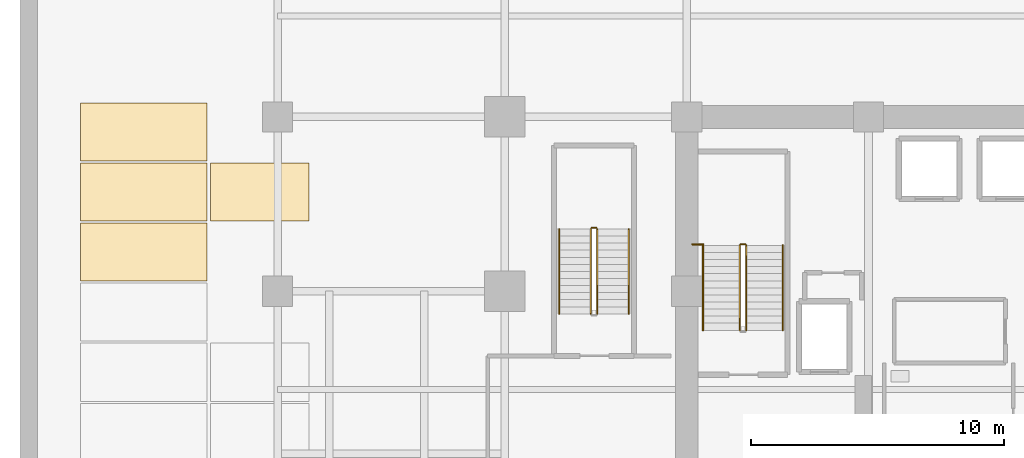
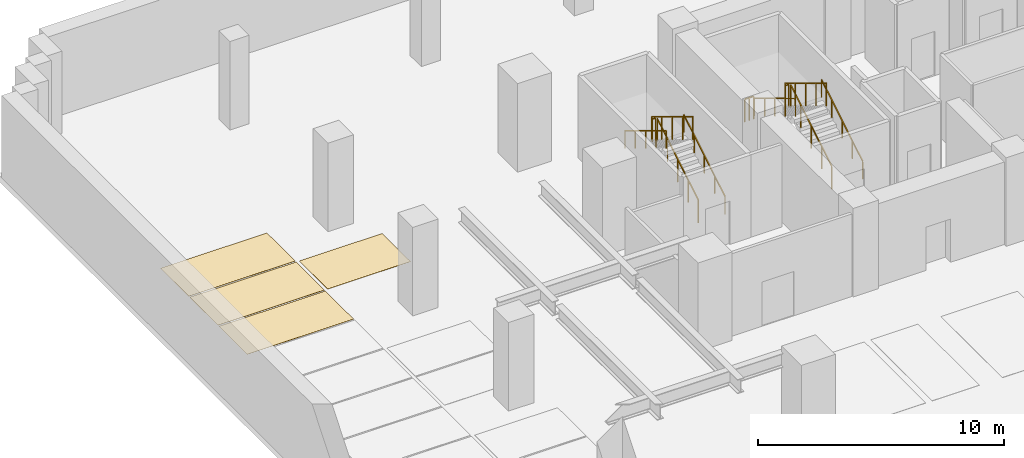
# One storey, part 11 of 14: 11 railings, 4 coverings.
"""IFC4 building model written with IfcOpenShell, lengths in metres."""

from ifc_helpers import new_model, si_unit, direction, frame, origin, origin_2d, place, context, subcontext, project, spatial, polyline, rectangle, outline, extrude, material, layer, layer_set, type_object, element, save


model = new_model("IFC4")

# Units and contexts
model_context = context("Model", 3, precision=1e-05, world=origin(), true_north=direction((0.0, 1.0)))
body_context = subcontext(model_context, "Body", "Model", "MODEL_VIEW")
ifc_project = project(units=[si_unit("LENGTHUNIT", "METRE"), si_unit("AREAUNIT", "SQUARE_METRE"), si_unit("VOLUMEUNIT", "CUBIC_METRE"), si_unit("PLANEANGLEUNIT", "RADIAN"), si_unit("MASSUNIT", "GRAM", prefix="KILO")], contexts=[model_context])

# Site, building, storey
site_placement = place(None, origin())
site = spatial("IfcSite", under=ifc_project, at=site_placement, CompositionType="ELEMENT")
building_placement = place(site_placement, origin())
building = spatial("IfcBuilding", under=site, at=building_placement, Name="Zarnakvel Exchange Tower", CompositionType="ELEMENT")
storey_placement = place(building_placement, frame((0.0, 0.0, -4.39990234375)))
storey = spatial("IfcBuildingStorey", under=building, at=storey_placement, Name="B01", CompositionType="ELEMENT", Elevation=-4.39990234375)

# Railings
ifc_material_1 = material(Name="Brushed Stainless Steel", Category="steel")
railing_type_1 = type_object("IfcRailingType", Name="HR-01", PredefinedType="HANDRAIL", material=ifc_material_1)
railing_1_placement = place(storey_placement, frame((-10.590087890625, 5.050048828125, 0.169189453125)))
element("IfcRailing", 1, at=railing_1_placement, inside=storey, type_object=railing_type_1, Name="B01 ST-01 stair handrail 1", PredefinedType="HANDRAIL", context=body_context, shape_type="SweptSolid", body=[
    extrude(rectangle(XDim=0.048095703125, YDim=0.048095703125, at=origin_2d()), frame((0.0, 0.0, 0.8759765625), z_axis=(0.0, 0.855820338506, 0.51727318527), x_axis=(-1.0, 0.0, 0.0)), (0.0, 0.0, 1.0), 3.92578125),
    extrude(rectangle(XDim=0.0419921875, YDim=0.0419921875, at=origin_2d()), origin(), (0.0, 0.0, 1.0), 0.851806640625),
    extrude(rectangle(XDim=0.0419921875, YDim=0.0419921875, at=origin_2d()), frame((0.0, 0.83984375, 0.5078125)), (0.0, 0.0, 1.0), 0.851806640625),
    extrude(rectangle(XDim=0.0419921875, YDim=0.0419921875, at=origin_2d()), frame((0.0, 1.679931640625, 1.015380859375)), (0.0, 0.0, 1.0), 0.851806640625),
    extrude(rectangle(XDim=0.0419921875, YDim=0.0419921875, at=origin_2d()), frame((0.0, 2.52001953125, 1.52294921875)), (0.0, 0.0, 1.0), 0.851806640625),
    extrude(rectangle(XDim=0.0419921875, YDim=0.0419921875, at=origin_2d()), frame((0.0, 3.35986328125, 2.03076171875)), (0.0, 0.0, 1.0), 0.851806640625),
])
railing_2_placement = place(storey_placement, frame((-13.75, 8.409912109375, 2.369140625)))
element("IfcRailing", 2, at=railing_2_placement, inside=storey, type_object=railing_type_1, Name="B01 ST-01 stair handrail 2", PredefinedType="HANDRAIL", context=body_context, shape_type="SweptSolid", body=[
    extrude(rectangle(XDim=0.048095703125, YDim=0.048095703125, at=origin_2d()), frame((0.0, 0.0, 0.8759765625), z_axis=(0.0, -0.855820338506, 0.51727318527), x_axis=(1.0, 0.0, 0.0)), (0.0, 0.0, 1.0), 3.92578125),
    extrude(rectangle(XDim=0.0419921875, YDim=0.0419921875, at=origin_2d()), origin(), (0.0, 0.0, 1.0), 0.851806640625),
    extrude(rectangle(XDim=0.0419921875, YDim=0.0419921875, at=origin_2d()), frame((0.0, -0.83984375, 0.5078125)), (0.0, 0.0, 1.0), 0.851806640625),
    extrude(rectangle(XDim=0.0419921875, YDim=0.0419921875, at=origin_2d()), frame((0.0, -1.679931640625, 1.015380859375)), (0.0, 0.0, 1.0), 0.851806640625),
    extrude(rectangle(XDim=0.0419921875, YDim=0.0419921875, at=origin_2d()), frame((0.0, -2.52001953125, 1.52294921875)), (0.0, 0.0, 1.0), 0.851806640625),
    extrude(rectangle(XDim=0.0419921875, YDim=0.0419921875, at=origin_2d()), frame((0.0, -3.35986328125, 2.03076171875)), (0.0, 0.0, 1.0), 0.851806640625),
])
railing_3_placement = place(storey_placement, frame((-16.68994140625, 5.699951171875, 0.169189453125)))
element("IfcRailing", 3, at=railing_3_placement, inside=storey, type_object=railing_type_1, Name="B01 ST-05 stair handrail 1", PredefinedType="HANDRAIL", context=body_context, shape_type="SweptSolid", body=[
    extrude(rectangle(XDim=0.048095703125, YDim=0.048095703125, at=origin_2d()), frame((0.0, 0.0, 0.8759765625), z_axis=(0.0, 0.855836976705, 0.517245656632), x_axis=(-1.0, 0.0, 0.0)), (0.0, 0.0, 1.0), 3.926025390625),
    extrude(rectangle(XDim=0.0419921875, YDim=0.0419921875, at=origin_2d()), origin(), (0.0, 0.0, 1.0), 0.851806640625),
    extrude(rectangle(XDim=0.0419921875, YDim=0.0419921875, at=origin_2d()), frame((0.0, 0.840087890625, 0.5078125)), (0.0, 0.0, 1.0), 0.851806640625),
    extrude(rectangle(XDim=0.0419921875, YDim=0.0419921875, at=origin_2d()), frame((0.0, 1.68017578125, 1.015380859375)), (0.0, 0.0, 1.0), 0.851806640625),
    extrude(rectangle(XDim=0.0419921875, YDim=0.0419921875, at=origin_2d()), frame((0.0, 2.52001953125, 1.52294921875)), (0.0, 0.0, 1.0), 0.851806640625),
    extrude(rectangle(XDim=0.0419921875, YDim=0.0419921875, at=origin_2d()), frame((0.0, 3.360107421875, 2.03076171875)), (0.0, 0.0, 1.0), 0.851806640625),
])
railing_4_placement = place(storey_placement, frame((-19.449951171875, 9.06005859375, 2.369140625)))
element("IfcRailing", 4, at=railing_4_placement, inside=storey, type_object=railing_type_1, Name="B01 ST-05 stair handrail 2", PredefinedType="HANDRAIL", context=body_context, shape_type="SweptSolid", body=[
    extrude(rectangle(XDim=0.048095703125, YDim=0.048095703125, at=origin_2d()), frame((0.0, 0.0, 0.8759765625), z_axis=(0.0, -0.855836976705, 0.517245656632), x_axis=(1.0, 0.0, 0.0)), (0.0, 0.0, 1.0), 3.926025390625),
    extrude(rectangle(XDim=0.0419921875, YDim=0.0419921875, at=origin_2d()), origin(), (0.0, 0.0, 1.0), 0.851806640625),
    extrude(rectangle(XDim=0.0419921875, YDim=0.0419921875, at=origin_2d()), frame((0.0, -0.840087890625, 0.5078125)), (0.0, 0.0, 1.0), 0.851806640625),
    extrude(rectangle(XDim=0.0419921875, YDim=0.0419921875, at=origin_2d()), frame((0.0, -1.68017578125, 1.015380859375)), (0.0, 0.0, 1.0), 0.851806640625),
    extrude(rectangle(XDim=0.0419921875, YDim=0.0419921875, at=origin_2d()), frame((0.0, -2.52001953125, 1.52294921875)), (0.0, 0.0, 1.0), 0.851806640625),
    extrude(rectangle(XDim=0.0419921875, YDim=0.0419921875, at=origin_2d()), frame((0.0, -3.360107421875, 2.03076171875)), (0.0, 0.0, 1.0), 0.851806640625),
])

# Coverings
ifc_material_2 = material(Name="Thermoplastic Acrylic Bay Marking", Category="finish")
ifc_layer = layer(ifc_material_2, 0.010009765625)
ifc_layer_set = layer_set([ifc_layer], Name="Thermoplastic Acrylic Bay Marking")
covering_type = type_object("IfcCoveringType", Name="MK-01", PredefinedType="FLOORING", material=ifc_layer_set)
covering_1_placement = place(storey_placement, origin())
element("IfcCovering", 5, at=covering_1_placement, inside=storey, type_object=covering_type, Name="B01 Standard Parking Bay Marking B01-35", PredefinedType="FLOORING", context=body_context, shape_type="SweptSolid", body=[
    extrude(outline(polyline([(-38.39990234375, 7.0), (-33.39990234375, 7.0), (-33.39990234375, 9.300048828125), (-38.39990234375, 9.300048828125), (-38.39990234375, 7.0)])), origin(), (0.0, 0.0, 1.0), 0.010009765625),
])
covering_2_placement = place(storey_placement, origin())
element("IfcCovering", 6, at=covering_2_placement, inside=storey, type_object=covering_type, Name="B01 Standard Parking Bay Marking B01-36", PredefinedType="FLOORING", context=body_context, shape_type="SweptSolid", body=[
    extrude(outline(polyline([(-38.39990234375, 9.3798828125), (-33.39990234375, 9.3798828125), (-33.39990234375, 11.679931640625), (-38.39990234375, 11.679931640625), (-38.39990234375, 9.3798828125)])), origin(), (0.0, 0.0, 1.0), 0.010009765625),
])
covering_3_placement = place(storey_placement, origin())
element("IfcCovering", 7, at=covering_3_placement, inside=storey, type_object=covering_type, Name="B01 Standard Parking Bay Marking B01-37", PredefinedType="FLOORING", context=body_context, shape_type="SweptSolid", body=[
    extrude(outline(polyline([(-38.39990234375, 11.760009765625), (-33.39990234375, 11.760009765625), (-33.39990234375, 14.06005859375), (-38.39990234375, 14.06005859375), (-38.39990234375, 11.760009765625)])), origin(), (0.0, 0.0, 1.0), 0.010009765625),
])
covering_4_placement = place(storey_placement, origin())
element("IfcCovering", 8, at=covering_4_placement, inside=storey, type_object=covering_type, Name="B01 Standard Parking Bay Marking B01-46", PredefinedType="FLOORING", context=body_context, shape_type="SweptSolid", body=[
    extrude(outline(polyline([(-33.25, 9.3798828125), (-29.35009765625, 9.3798828125), (-29.35009765625, 11.679931640625), (-33.25, 11.679931640625), (-33.25, 9.3798828125)])), origin(), (0.0, 0.0, 1.0), 0.010009765625),
])

# Railings
ifc_material_3 = material(Name="Architectural Bronze Anodised Aluminium", Category="aluminium")
railing_type_2 = type_object("IfcRailingType", Name="SG-01", PredefinedType="GUARDRAIL", material=ifc_material_3)
railing_5_placement = place(storey_placement, frame((-12.0400390625, 5.050048828125, 0.169189453125)))
element("IfcRailing", 9, at=railing_5_placement, inside=storey, type_object=railing_type_2, Name="B01 ST-01 stair guard 1", PredefinedType="GUARDRAIL", context=body_context, shape_type="SweptSolid", body=[
    extrude(rectangle(XDim=0.048095703125, YDim=0.048095703125, at=origin_2d()), frame((0.0, 0.0, 1.1259765625), z_axis=(0.0, 0.855820338506, 0.51727318527), x_axis=(-1.0, 0.0, 0.0)), (0.0, 0.0, 1.0), 3.92578125),
    extrude(rectangle(XDim=0.0419921875, YDim=0.0419921875, at=origin_2d()), origin(), (0.0, 0.0, 1.0), 1.101806640625),
    extrude(rectangle(XDim=0.0419921875, YDim=0.0419921875, at=origin_2d()), frame((0.0, 0.83984375, 0.5078125)), (0.0, 0.0, 1.0), 1.101806640625),
    extrude(rectangle(XDim=0.0419921875, YDim=0.0419921875, at=origin_2d()), frame((0.0, 1.679931640625, 1.015380859375)), (0.0, 0.0, 1.0), 1.101806640625),
    extrude(rectangle(XDim=0.0419921875, YDim=0.0419921875, at=origin_2d()), frame((0.0, 2.52001953125, 1.52294921875)), (0.0, 0.0, 1.0), 1.101806640625),
    extrude(rectangle(XDim=0.0419921875, YDim=0.0419921875, at=origin_2d()), frame((0.0, 3.35986328125, 2.03076171875)), (0.0, 0.0, 1.0), 1.101806640625),
])
railing_6_placement = place(storey_placement, frame((-12.090087890625, 8.4599609375, 2.199951171875)))
element("IfcRailing", 10, at=railing_6_placement, inside=storey, type_object=railing_type_2, Name="B01 ST-01 stair guard 2", PredefinedType="GUARDRAIL", context=body_context, shape_type="SweptSolid", body=[
    extrude(rectangle(XDim=0.048095703125, YDim=0.048095703125, at=origin_2d()), frame((0.0, 0.0, 1.1259765625), z_axis=(-1.0, 0.0, 0.0), x_axis=(0.0, -1.0, 0.0)), (0.0, 0.0, 1.0), 0.159912109375),
    extrude(rectangle(XDim=0.0419921875, YDim=0.0419921875, at=origin_2d()), origin(), (0.0, 0.0, 1.0), 1.101806640625),
    extrude(rectangle(XDim=0.0419921875, YDim=0.0419921875, at=origin_2d()), frame((-0.159912109375, 0.0, 0.0)), (0.0, 0.0, 1.0), 1.101806640625),
])
railing_7_placement = place(storey_placement, frame((-12.300048828125, 8.409912109375, 2.369140625)))
element("IfcRailing", 11, at=railing_7_placement, inside=storey, type_object=railing_type_2, Name="B01 ST-01 stair guard 3", PredefinedType="GUARDRAIL", context=body_context, shape_type="SweptSolid", body=[
    extrude(rectangle(XDim=0.048095703125, YDim=0.048095703125, at=origin_2d()), frame((0.0, 0.0, 1.1259765625), z_axis=(0.0, -0.855820338506, 0.51727318527), x_axis=(1.0, 0.0, 0.0)), (0.0, 0.0, 1.0), 3.92578125),
    extrude(rectangle(XDim=0.0419921875, YDim=0.0419921875, at=origin_2d()), origin(), (0.0, 0.0, 1.0), 1.101806640625),
    extrude(rectangle(XDim=0.0419921875, YDim=0.0419921875, at=origin_2d()), frame((0.0, -0.83984375, 0.5078125)), (0.0, 0.0, 1.0), 1.101806640625),
    extrude(rectangle(XDim=0.0419921875, YDim=0.0419921875, at=origin_2d()), frame((0.0, -1.679931640625, 1.015380859375)), (0.0, 0.0, 1.0), 1.101806640625),
    extrude(rectangle(XDim=0.0419921875, YDim=0.0419921875, at=origin_2d()), frame((0.0, -2.52001953125, 1.52294921875)), (0.0, 0.0, 1.0), 1.101806640625),
    extrude(rectangle(XDim=0.0419921875, YDim=0.0419921875, at=origin_2d()), frame((0.0, -3.35986328125, 2.03076171875)), (0.0, 0.0, 1.0), 1.101806640625),
])
railing_8_placement = place(storey_placement, frame((-14.179931640625, 8.449951171875, 2.199951171875)))
element("IfcRailing", 12, at=railing_8_placement, inside=storey, type_object=railing_type_2, Name="B01 ST-01 Landing Slot Guardrail", PredefinedType="GUARDRAIL", context=body_context, shape_type="SweptSolid", body=[
    extrude(rectangle(XDim=0.048095703125, YDim=0.048095703125, at=origin_2d()), frame((0.0, 0.0, 1.1259765625), z_axis=(1.0, 0.0, 0.0), x_axis=(0.0, 1.0, 0.0)), (0.0, 0.0, 1.0), 0.429931640625),
    extrude(rectangle(XDim=0.0419921875, YDim=0.0419921875, at=origin_2d()), origin(), (0.0, 0.0, 1.0), 1.101806640625),
    extrude(rectangle(XDim=0.0419921875, YDim=0.0419921875, at=origin_2d()), frame((0.21484375, 0.0, 0.0)), (0.0, 0.0, 1.0), 1.101806640625),
    extrude(rectangle(XDim=0.0419921875, YDim=0.0419921875, at=origin_2d()), frame((0.429931640625, 0.0, 0.0)), (0.0, 0.0, 1.0), 1.101806640625),
])
railing_9_placement = place(storey_placement, frame((-17.93994140625, 5.699951171875, 0.169189453125)))
element("IfcRailing", 13, at=railing_9_placement, inside=storey, type_object=railing_type_2, Name="B01 ST-05 stair guard 1", PredefinedType="GUARDRAIL", context=body_context, shape_type="SweptSolid", body=[
    extrude(rectangle(XDim=0.048095703125, YDim=0.048095703125, at=origin_2d()), frame((0.0, 0.0, 1.1259765625), z_axis=(0.0, 0.855836976705, 0.517245656632), x_axis=(-1.0, 0.0, 0.0)), (0.0, 0.0, 1.0), 3.926025390625),
    extrude(rectangle(XDim=0.0419921875, YDim=0.0419921875, at=origin_2d()), origin(), (0.0, 0.0, 1.0), 1.101806640625),
    extrude(rectangle(XDim=0.0419921875, YDim=0.0419921875, at=origin_2d()), frame((0.0, 0.840087890625, 0.5078125)), (0.0, 0.0, 1.0), 1.101806640625),
    extrude(rectangle(XDim=0.0419921875, YDim=0.0419921875, at=origin_2d()), frame((0.0, 1.68017578125, 1.015380859375)), (0.0, 0.0, 1.0), 1.101806640625),
    extrude(rectangle(XDim=0.0419921875, YDim=0.0419921875, at=origin_2d()), frame((0.0, 2.52001953125, 1.52294921875)), (0.0, 0.0, 1.0), 1.101806640625),
    extrude(rectangle(XDim=0.0419921875, YDim=0.0419921875, at=origin_2d()), frame((0.0, 3.360107421875, 2.03076171875)), (0.0, 0.0, 1.0), 1.101806640625),
])
railing_10_placement = place(storey_placement, frame((-17.989990234375, 9.110107421875, 2.199951171875)))
element("IfcRailing", 14, at=railing_10_placement, inside=storey, type_object=railing_type_2, Name="B01 ST-05 stair guard 2", PredefinedType="GUARDRAIL", context=body_context, shape_type="SweptSolid", body=[
    extrude(rectangle(XDim=0.048095703125, YDim=0.048095703125, at=origin_2d()), frame((0.0, 0.0, 1.1259765625), z_axis=(-1.0, 0.0, 0.0), x_axis=(0.0, -1.0, 0.0)), (0.0, 0.0, 1.0), 0.159912109375),
    extrude(rectangle(XDim=0.0419921875, YDim=0.0419921875, at=origin_2d()), origin(), (0.0, 0.0, 1.0), 1.101806640625),
    extrude(rectangle(XDim=0.0419921875, YDim=0.0419921875, at=origin_2d()), frame((-0.159912109375, 0.0, 0.0)), (0.0, 0.0, 1.0), 1.101806640625),
])
railing_11_placement = place(storey_placement, frame((-18.199951171875, 9.06005859375, 2.369140625)))
element("IfcRailing", 15, at=railing_11_placement, inside=storey, type_object=railing_type_2, Name="B01 ST-05 stair guard 3", PredefinedType="GUARDRAIL", context=body_context, shape_type="SweptSolid", body=[
    extrude(rectangle(XDim=0.048095703125, YDim=0.048095703125, at=origin_2d()), frame((0.0, 0.0, 1.1259765625), z_axis=(0.0, -0.855836976705, 0.517245656632), x_axis=(1.0, 0.0, 0.0)), (0.0, 0.0, 1.0), 3.926025390625),
    extrude(rectangle(XDim=0.0419921875, YDim=0.0419921875, at=origin_2d()), origin(), (0.0, 0.0, 1.0), 1.101806640625),
    extrude(rectangle(XDim=0.0419921875, YDim=0.0419921875, at=origin_2d()), frame((0.0, -0.840087890625, 0.5078125)), (0.0, 0.0, 1.0), 1.101806640625),
    extrude(rectangle(XDim=0.0419921875, YDim=0.0419921875, at=origin_2d()), frame((0.0, -1.68017578125, 1.015380859375)), (0.0, 0.0, 1.0), 1.101806640625),
    extrude(rectangle(XDim=0.0419921875, YDim=0.0419921875, at=origin_2d()), frame((0.0, -2.52001953125, 1.52294921875)), (0.0, 0.0, 1.0), 1.101806640625),
    extrude(rectangle(XDim=0.0419921875, YDim=0.0419921875, at=origin_2d()), frame((0.0, -3.360107421875, 2.03076171875)), (0.0, 0.0, 1.0), 1.101806640625),
])

save(model, "model.ifc")
